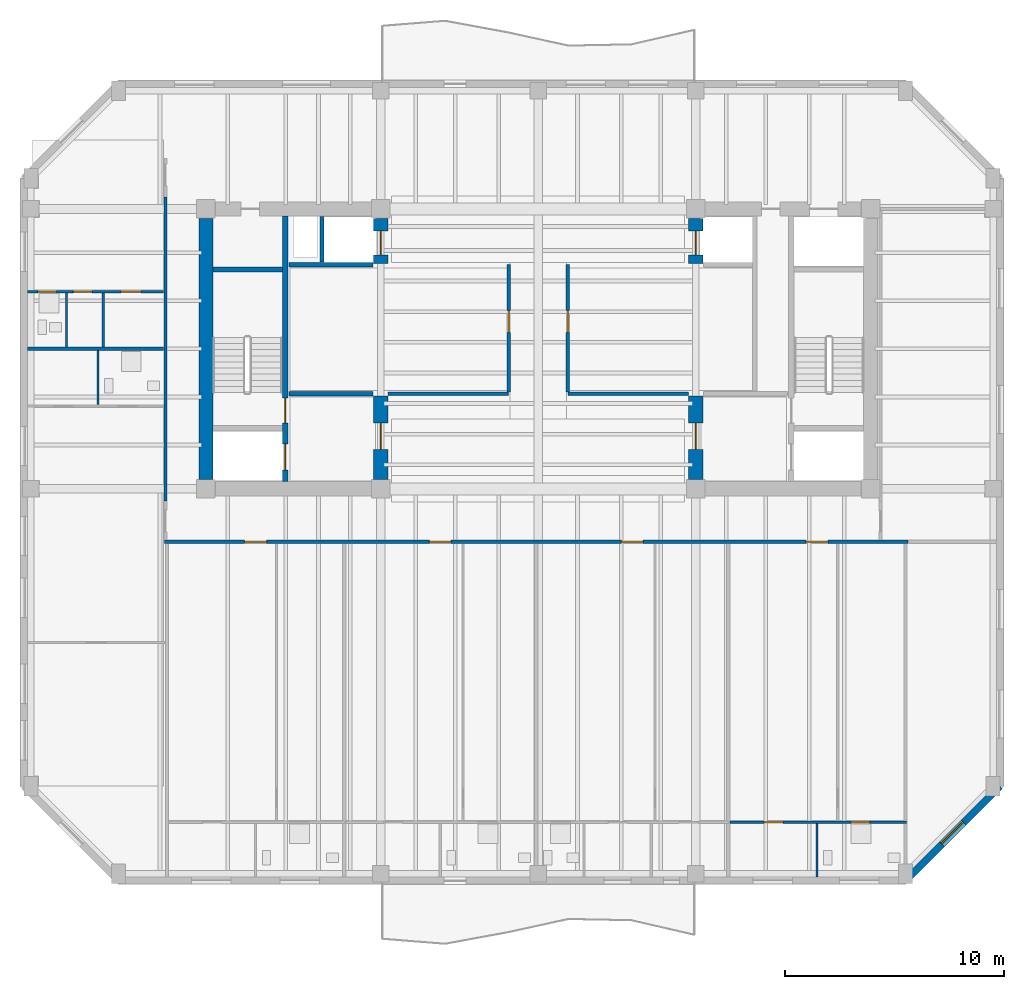
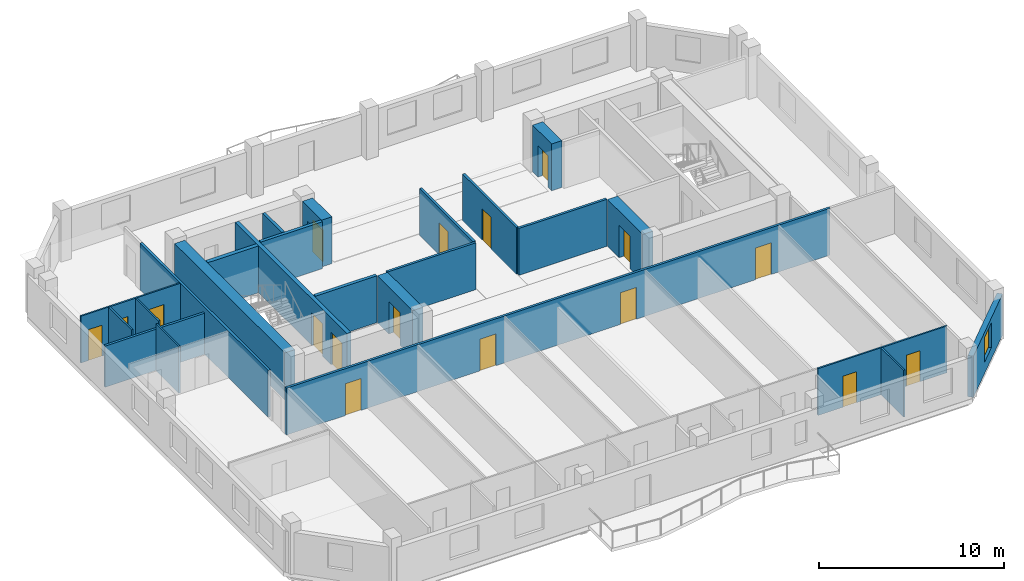
# One storey, part 4 of 11: 24 walls, 17 doors, 1 window, 18 openings.
"""IFC4 building model written with IfcOpenShell, lengths in metres."""

from ifc_helpers import new_model, si_unit, direction, frame, frame_2d, origin, place, context, subcontext, project, spatial, rectangle, extrude, material, layer, layer_set, type_object, element, fill, save


model = new_model("IFC4")

# Units and contexts
model_context = context("Model", 3, precision=1e-05, world=origin(), true_north=direction((0.0, 1.0)))
body_context = subcontext(model_context, "Body", "Model", "MODEL_VIEW")
ifc_project = project(units=[si_unit("LENGTHUNIT", "METRE"), si_unit("AREAUNIT", "SQUARE_METRE"), si_unit("VOLUMEUNIT", "CUBIC_METRE"), si_unit("PLANEANGLEUNIT", "RADIAN"), si_unit("MASSUNIT", "GRAM", prefix="KILO")], contexts=[model_context])

# Site, building, storey
site_placement = place(None, origin())
site = spatial("IfcSite", under=ifc_project, at=site_placement, CompositionType="ELEMENT")
building_placement = place(site_placement, origin())
building = spatial("IfcBuilding", under=site, at=building_placement, Name="Kranthara Brick Stack", CompositionType="ELEMENT")
storey_placement = place(building_placement, frame((0.0, 0.0, 217.699951171875)))
storey = spatial("IfcBuildingStorey", under=building, at=storey_placement, Name="L56", CompositionType="ELEMENT", Elevation=217.699951171875)

# Wall, opening, window
ifc_material_1 = material(Name="Warm buff clay brick masonry M15", Category="masonry")
ifc_layer_1 = layer(ifc_material_1, 0.320068359375)
ifc_layer_set_1 = layer_set([ifc_layer_1], Name="Warm buff clay brick masonry M15")
wall_type_1 = type_object("IfcWallType", Name="WL-BRK-UPPR-320", PredefinedType="STANDARD", material=ifc_layer_set_1)
wall_1_placement = place(storey_placement, frame((49.1201171875, 7.199951171875, 0.0), z_axis=(0.0, 0.0, 1.0), x_axis=(-0.707106781187, -0.707106781187, 0.0)))
wall_1 = element("IfcWall", 1, at=wall_1_placement, inside=storey, type_object=wall_type_1, Name="L56 Exterior Brick Facade Wall SE 1", PredefinedType="STANDARD", context=body_context, shape_type="SweptSolid", body=[
    extrude(rectangle(XDim=6.109619140625, YDim=0.320068359375, at=frame_2d((3.0546875, 0.0))), origin(), (0.0, 0.0, 1.0), 2.72509765625),
])
opening_1_placement = place(wall_1_placement, frame((2.35498046875, 0.0, 0.75)))
opening_1 = element("IfcOpeningElement", 2, at=opening_1_placement, cuts=wall_1, Name="Opening WN10", PredefinedType="OPENING", context=body_context, shape_type="SweptSolid", body=[
    extrude(rectangle(XDim=1.39990234375, YDim=1.64990234375, at=frame_2d((0.699951171875, 0.824951171875))), frame((0.0, 0.169921875, 0.0), z_axis=(0.0, -1.0, 0.0), x_axis=(1.0, 0.0, 0.0)), (0.0, 0.0, 1.0), 0.340087890625),
])
ifc_material_2 = material(Name="Double-glazed low-E solar control glass", Category="glass")
window_type = type_object("IfcWindowType", Name="WN-CHM-1400x1750", PartitioningType="SINGLE_PANEL", PredefinedType="WINDOW", material=ifc_material_2)
window_placement = place(opening_1_placement, origin())
window = element("IfcWindow", 3, at=window_placement, inside=storey, type_object=window_type, Name="L56 SE Chamfer Corner Window", OverallHeight=1.64990234375, OverallWidth=1.39990234375, PartitioningType="SINGLE_PANEL", PredefinedType="WINDOW", context=body_context, shape_type="SweptSolid", body=[
    extrude(rectangle(XDim=1.39990234375, YDim=1.64990234375, at=frame_2d((0.699951171875, 0.824951171875))), frame((0.0, -0.010009765625, 0.0), z_axis=(0.0, -1.0, 0.0), x_axis=(1.0, 0.0, 0.0)), (0.0, 0.0, 1.0), 0.06005859375),
])
fill(opening_1, window)

# Wall, openings, doors
ifc_material_3 = material(Name="Concrete C50/60", Category="concrete")
ifc_layer_2 = layer(ifc_material_3, 0.25)
ifc_layer_set_2 = layer_set([ifc_layer_2], Name="Concrete C50/60")
wall_type_2 = type_object("IfcWallType", Name="WL-CORE-250", PredefinedType="SHEAR", material=ifc_layer_set_2)
wall_2_placement = place(storey_placement, frame((16.43505859375, 21.135009765625, 0.0), z_axis=(0.0, 0.0, 1.0), x_axis=(0.0, 1.0, 0.0)))
wall_2 = element("IfcWall", 4, at=wall_2_placement, inside=storey, type_object=wall_type_2, Name="L56 West Core Stair Bearing Spine Wall", PredefinedType="SHEAR", context=body_context, shape_type="SweptSolid", body=[
    extrude(rectangle(XDim=12.1298828125, YDim=0.25, at=frame_2d((6.06494140625, 0.0))), origin(), (0.0, 0.0, 1.0), 3.10009765625),
])
opening_2_placement = place(wall_2_placement, frame((0.514892578125, 0.0, 0.0)))
opening_2 = element("IfcOpeningElement", 5, at=opening_2_placement, cuts=wall_2, Name="Opening LD01", PredefinedType="OPENING", context=body_context, shape_type="SweptSolid", body=[
    extrude(rectangle(XDim=1.199951171875, YDim=2.14990234375, at=frame_2d((0.60009765625, 1.074951171875))), frame((0.0, 0.135009765625, 0.0), z_axis=(0.0, -1.0, 0.0), x_axis=(1.0, 0.0, 0.0)), (0.0, 0.0, 1.0), 0.27001953125),
])
opening_3_placement = place(wall_2_placement, frame((2.6650390625, 0.0, 0.0)))
opening_3 = element("IfcOpeningElement", 6, at=opening_3_placement, cuts=wall_2, Name="Opening D05", PredefinedType="OPENING", context=body_context, shape_type="SweptSolid", body=[
    extrude(rectangle(XDim=1.14990234375, YDim=2.14990234375, at=frame_2d((0.574951171875, 1.074951171875))), frame((0.0, 0.135009765625, 0.0), z_axis=(0.0, -1.0, 0.0), x_axis=(1.0, 0.0, 0.0)), (0.0, 0.0, 1.0), 0.27001953125),
])
ifc_material_4 = material(Name="Stainless steel sliding landing door", Category="steel")
door_type_1 = type_object("IfcDoorType", Name="DR-LD-FF1200", OperationType="DOUBLE_DOOR_SLIDING", PredefinedType="DOOR", material=ifc_material_4)
door_1_placement = place(opening_2_placement, origin())
door_1 = element("IfcDoor", 7, at=door_1_placement, inside=storey, type_object=door_type_1, Name="L56 Firefighting Lift FF-01 Landing Door", OperationType="DOUBLE_DOOR_SLIDING", OverallHeight=2.14990234375, OverallWidth=1.199951171875, PredefinedType="DOOR", context=body_context, shape_type="SweptSolid", body=[
    extrude(rectangle(XDim=1.199951171875, YDim=2.14990234375, at=frame_2d((0.60009765625, 1.074951171875))), frame((0.0, 0.02490234375, 0.0), z_axis=(0.0, -1.0, 0.0), x_axis=(1.0, 0.0, 0.0)), (0.0, 0.0, 1.0), 0.050048828125),
])
fill(opening_2, door_1)
ifc_material_5 = material(Name="Solid-core hardwood timber leaf in steel frame", Category="steel")
door_type_2 = type_object("IfcDoorType", Name="DR-ST-1150", OperationType="NOTDEFINED", PredefinedType="DOOR", material=ifc_material_5)
door_2_placement = place(opening_3_placement, origin())
door_2 = element("IfcDoor", 8, at=door_2_placement, inside=storey, type_object=door_type_2, Name="L56 Exit Stair ST01 Door", OperationType="SINGLE_SWING_RIGHT", OverallHeight=2.14990234375, OverallWidth=1.14990234375, PredefinedType="DOOR", context=body_context, shape_type="SweptSolid", body=[
    extrude(rectangle(XDim=1.14990234375, YDim=2.14990234375, at=frame_2d((0.574951171875, 1.074951171875))), frame((0.0, 0.02490234375, 0.0), z_axis=(0.0, -1.0, 0.0), x_axis=(1.0, 0.0, 0.0)), (0.0, 0.0, 1.0), 0.050048828125),
])
fill(opening_3, door_2)

# Walls
wall_3_placement = place(storey_placement, frame((13.135009765625, 30.830078125, 0.0), z_axis=(0.0, 0.0, 1.0), x_axis=(1.0, 0.0, 0.0)))
element("IfcWall", 9, at=wall_3_placement, inside=storey, type_object=wall_type_2, Name="L56 West Stairwell Bearing Wall WST", PredefinedType="SHEAR", context=body_context, shape_type="SweptSolid", body=[
    extrude(rectangle(XDim=3.175048828125, YDim=0.25, at=frame_2d((1.58740234375, 0.0))), origin(), (0.0, 0.0, 1.0), 3.10009765625),
])
ifc_material_6 = material(Name="Concrete C60/75", Category="concrete")
ifc_layer_3 = layer(ifc_material_6, 0.64990234375)
ifc_layer_set_3 = layer_set([ifc_layer_3], Name="Concrete C60/75")
wall_type_3 = type_object("IfcWallType", Name="WL-CORE-650", PredefinedType="SHEAR", material=ifc_layer_set_3)
wall_4_placement = place(storey_placement, frame((12.800048828125, 21.22998046875, 0.0), z_axis=(0.0, 0.0, 1.0), x_axis=(0.0, 1.0, 0.0)))
element("IfcWall", 10, at=wall_4_placement, inside=storey, type_object=wall_type_3, Name="L56 West Core Shear Wall West", PredefinedType="SHEAR", context=body_context, shape_type="SweptSolid", body=[
    extrude(rectangle(XDim=11.93994140625, YDim=0.64990234375, at=frame_2d((5.969970703125, 0.0))), origin(), (0.0, 0.0, 1.0), 3.10009765625),
])

# Wall, opening, door
wall_5_placement = place(storey_placement, frame((20.800048828125, 21.22998046875, 0.0), z_axis=(0.0, 0.0, 1.0), x_axis=(0.0, 1.0, 0.0)))
wall_5 = element("IfcWall", 11, at=wall_5_placement, inside=storey, type_object=wall_type_3, Name="L56 West Core Lobby Shear Wall", PredefinedType="SHEAR", context=body_context, shape_type="SweptSolid", body=[
    extrude(rectangle(XDim=3.820068359375, YDim=0.64990234375, at=frame_2d((1.91015625, 0.0))), origin(), (0.0, 0.0, 1.0), 3.10009765625),
])
opening_4_placement = place(wall_5_placement, frame((1.3701171875, 0.0, 0.0)))
opening_4 = element("IfcOpeningElement", 12, at=opening_4_placement, cuts=wall_5, Name="Opening D06", PredefinedType="OPENING", context=body_context, shape_type="SweptSolid", body=[
    extrude(rectangle(XDim=1.199951171875, YDim=2.14990234375, at=frame_2d((0.60009765625, 1.074951171875))), frame((0.0, 0.3349609375, 0.0), z_axis=(0.0, -1.0, 0.0), x_axis=(1.0, 0.0, 0.0)), (0.0, 0.0, 1.0), 0.669921875),
])
ifc_material_7 = material(Name="Solid-core hardwood timber leaf in steel frame", Category="steel")
door_type_3 = type_object("IfcDoorType", Name="DR-FFL-1200", OperationType="NOTDEFINED", PredefinedType="DOOR", material=ifc_material_7)
door_3_placement = place(opening_4_placement, origin())
door_3 = element("IfcDoor", 13, at=door_3_placement, inside=storey, type_object=door_type_3, Name="L56 West Firefighting Lobby Door", OperationType="SINGLE_SWING_LEFT", OverallHeight=2.14990234375, OverallWidth=1.199951171875, PredefinedType="DOOR", context=body_context, shape_type="SweptSolid", body=[
    extrude(rectangle(XDim=1.199951171875, YDim=2.14990234375, at=frame_2d((0.60009765625, 1.074951171875))), frame((0.0, 0.02490234375, 0.0), z_axis=(0.0, -1.0, 0.0), x_axis=(1.0, 0.0, 0.0)), (0.0, 0.0, 1.0), 0.050048828125),
])
fill(opening_4, door_3)

wall_6_placement = place(storey_placement, frame((20.800048828125, 31.10009765625, 0.0), z_axis=(0.0, 0.0, 1.0), x_axis=(0.0, 1.0, 0.0)))
wall_6 = element("IfcWall", 14, at=wall_6_placement, inside=storey, type_object=wall_type_3, Name="L56 West Core High-Rise Lift Wall", PredefinedType="SHEAR", context=body_context, shape_type="SweptSolid", body=[
    extrude(rectangle(XDim=2.06982421875, YDim=0.64990234375, at=frame_2d((1.034912109375, 0.0))), origin(), (0.0, 0.0, 1.0), 3.10009765625),
])
opening_5_placement = place(wall_6_placement, frame((0.39990234375, 0.0, 0.0)))
opening_5 = element("IfcOpeningElement", 15, at=opening_5_placement, cuts=wall_6, Name="Opening LD02", PredefinedType="OPENING", context=body_context, shape_type="SweptSolid", body=[
    extrude(rectangle(XDim=1.10009765625, YDim=2.10009765625, at=frame_2d((0.550048828125, 1.050048828125))), frame((0.0, 0.3349609375, 0.0), z_axis=(0.0, -1.0, 0.0), x_axis=(1.0, 0.0, 0.0)), (0.0, 0.0, 1.0), 0.669921875),
])
ifc_material_8 = material(Name="Stainless steel sliding landing door", Category="steel")
door_type_4 = type_object("IfcDoorType", Name="DR-LD-PL1100", OperationType="DOUBLE_DOOR_SLIDING", PredefinedType="DOOR", material=ifc_material_8)
door_4_placement = place(opening_5_placement, origin())
door_4 = element("IfcDoor", 16, at=door_4_placement, inside=storey, type_object=door_type_4, Name="L56 PL-07 Lift Landing Door", OperationType="DOUBLE_DOOR_SLIDING", OverallHeight=2.10009765625, OverallWidth=1.10009765625, PredefinedType="DOOR", context=body_context, shape_type="SweptSolid", body=[
    extrude(rectangle(XDim=1.10009765625, YDim=2.10009765625, at=frame_2d((0.550048828125, 1.050048828125))), frame((0.0, 0.02490234375, 0.0), z_axis=(0.0, -1.0, 0.0), x_axis=(1.0, 0.0, 0.0)), (0.0, 0.0, 1.0), 0.050048828125),
])
fill(opening_5, door_4)

wall_7_placement = place(storey_placement, frame((35.199951171875, 21.22998046875, 0.0), z_axis=(0.0, 0.0, 1.0), x_axis=(0.0, 1.0, 0.0)))
wall_7 = element("IfcWall", 17, at=wall_7_placement, inside=storey, type_object=wall_type_3, Name="L56 East Core Lobby Shear Wall", PredefinedType="SHEAR", context=body_context, shape_type="SweptSolid", body=[
    extrude(rectangle(XDim=3.820068359375, YDim=0.64990234375, at=frame_2d((1.91015625, 0.0))), origin(), (0.0, 0.0, 1.0), 3.10009765625),
])
opening_6_placement = place(wall_7_placement, frame((1.3701171875, 0.0, 0.0)))
opening_6 = element("IfcOpeningElement", 18, at=opening_6_placement, cuts=wall_7, Name="Opening D06", PredefinedType="OPENING", context=body_context, shape_type="SweptSolid", body=[
    extrude(rectangle(XDim=1.199951171875, YDim=2.14990234375, at=frame_2d((0.60009765625, 1.074951171875))), frame((0.0, 0.3349609375, 0.0), z_axis=(0.0, -1.0, 0.0), x_axis=(1.0, 0.0, 0.0)), (0.0, 0.0, 1.0), 0.669921875),
])
door_5_placement = place(opening_6_placement, origin())
door_5 = element("IfcDoor", 19, at=door_5_placement, inside=storey, type_object=door_type_3, Name="L56 East Firefighting Lobby Door", OperationType="SINGLE_SWING_RIGHT", OverallHeight=2.14990234375, OverallWidth=1.199951171875, PredefinedType="DOOR", context=body_context, shape_type="SweptSolid", body=[
    extrude(rectangle(XDim=1.199951171875, YDim=2.14990234375, at=frame_2d((0.60009765625, 1.074951171875))), frame((0.0, 0.02490234375, 0.0), z_axis=(0.0, -1.0, 0.0), x_axis=(1.0, 0.0, 0.0)), (0.0, 0.0, 1.0), 0.050048828125),
])
fill(opening_6, door_5)

wall_8_placement = place(storey_placement, frame((35.199951171875, 31.10009765625, 0.0), z_axis=(0.0, 0.0, 1.0), x_axis=(0.0, 1.0, 0.0)))
wall_8 = element("IfcWall", 20, at=wall_8_placement, inside=storey, type_object=wall_type_3, Name="L56 East Core High-Rise Lift Wall", PredefinedType="SHEAR", context=body_context, shape_type="SweptSolid", body=[
    extrude(rectangle(XDim=2.06982421875, YDim=0.64990234375, at=frame_2d((1.034912109375, 0.0))), origin(), (0.0, 0.0, 1.0), 3.10009765625),
])
opening_7_placement = place(wall_8_placement, frame((0.39990234375, 0.0, 0.0)))
opening_7 = element("IfcOpeningElement", 21, at=opening_7_placement, cuts=wall_8, Name="Opening LD02", PredefinedType="OPENING", context=body_context, shape_type="SweptSolid", body=[
    extrude(rectangle(XDim=1.10009765625, YDim=2.10009765625, at=frame_2d((0.550048828125, 1.050048828125))), frame((0.0, 0.3349609375, 0.0), z_axis=(0.0, -1.0, 0.0), x_axis=(1.0, 0.0, 0.0)), (0.0, 0.0, 1.0), 0.669921875),
])
door_6_placement = place(opening_7_placement, origin())
door_6 = element("IfcDoor", 22, at=door_6_placement, inside=storey, type_object=door_type_4, Name="L56 PL-08 Lift Landing Door", OperationType="DOUBLE_DOOR_SLIDING", OverallHeight=2.10009765625, OverallWidth=1.10009765625, PredefinedType="DOOR", context=body_context, shape_type="SweptSolid", body=[
    extrude(rectangle(XDim=1.10009765625, YDim=2.10009765625, at=frame_2d((0.550048828125, 1.050048828125))), frame((0.0, 0.02490234375, 0.0), z_axis=(0.0, -1.0, 0.0), x_axis=(1.0, 0.0, 0.0)), (0.0, 0.0, 1.0), 0.050048828125),
])
fill(opening_7, door_6)

# Wall, openings, doors
ifc_material_9 = material(Name="Moisture-resistant wet-room partition", Category="other")
ifc_layer_4 = layer(ifc_material_9, 0.10009765625)
ifc_layer_set_4 = layer_set([ifc_layer_4], Name="Moisture-resistant wet-room partition")
wall_type_4 = type_object("IfcWallType", Name="WL-PART-100", PredefinedType="PARTITIONING", material=ifc_layer_set_4)
wall_9_placement = place(storey_placement, frame((36.77294921875, 5.550048828125, 0.0), z_axis=(0.0, 0.0, 1.0), x_axis=(1.0, 0.0, 0.0)))
wall_9 = element("IfcWall", 23, at=wall_9_placement, inside=storey, type_object=wall_type_4, Name="L56 Interior Partition 020", PredefinedType="PARTITIONING", context=body_context, shape_type="SweptSolid", body=[
    extrude(rectangle(XDim=8.067138671875, YDim=0.10009765625, at=frame_2d((4.03369140625, 0.0))), origin(), (0.0, 0.0, 1.0), 3.10009765625),
])
opening_8_placement = place(wall_9_placement, frame((1.56103515625, 0.0, 0.0)))
opening_8 = element("IfcOpeningElement", 24, at=opening_8_placement, cuts=wall_9, Name="Opening D16", PredefinedType="OPENING", context=body_context, shape_type="SweptSolid", body=[
    extrude(rectangle(XDim=0.85009765625, YDim=2.050048828125, at=frame_2d((0.425048828125, 1.02490234375))), frame((0.0, 0.06005859375, 0.0), z_axis=(0.0, -1.0, 0.0), x_axis=(1.0, 0.0, 0.0)), (0.0, 0.0, 1.0), 0.1201171875),
])
opening_9_placement = place(wall_9_placement, frame((5.534912109375, 0.0, 0.0)))
opening_9 = element("IfcOpeningElement", 25, at=opening_9_placement, cuts=wall_9, Name="Opening D17", PredefinedType="OPENING", context=body_context, shape_type="SweptSolid", body=[
    extrude(rectangle(XDim=0.85009765625, YDim=2.050048828125, at=frame_2d((0.425048828125, 1.02490234375))), frame((0.0, 0.06005859375, 0.0), z_axis=(0.0, -1.0, 0.0), x_axis=(1.0, 0.0, 0.0)), (0.0, 0.0, 1.0), 0.1201171875),
])
ifc_material_10 = material(Name="Solid-core hardwood timber leaf in steel frame", Category="steel")
door_type_5 = type_object("IfcDoorType", Name="DR-INT-850", OperationType="NOTDEFINED", PredefinedType="DOOR", material=ifc_material_10)
door_7_placement = place(opening_8_placement, origin())
door_7 = element("IfcDoor", 26, at=door_7_placement, inside=storey, type_object=door_type_5, Name="L56 Unit L56D Kitchen 18", OperationType="SINGLE_SWING_RIGHT", OverallHeight=2.050048828125, OverallWidth=0.85009765625, PredefinedType="DOOR", context=body_context, shape_type="SweptSolid", body=[
    extrude(rectangle(XDim=0.85009765625, YDim=2.050048828125, at=frame_2d((0.425048828125, 1.02490234375))), frame((0.0, 0.02490234375, 0.0), z_axis=(0.0, -1.0, 0.0), x_axis=(1.0, 0.0, 0.0)), (0.0, 0.0, 1.0), 0.050048828125),
])
fill(opening_8, door_7)
ifc_material_11 = material(Name="Solid-core hardwood timber leaf in steel frame", Category="steel")
door_type_6 = type_object("IfcDoorType", Name="DR-WET-850", OperationType="NOTDEFINED", PredefinedType="DOOR", material=ifc_material_11)
door_8_placement = place(opening_9_placement, origin())
door_8 = element("IfcDoor", 27, at=door_8_placement, inside=storey, type_object=door_type_6, Name="L56 Unit L56D Bathroom 19", OperationType="SINGLE_SWING_LEFT", OverallHeight=2.050048828125, OverallWidth=0.85009765625, PredefinedType="DOOR", context=body_context, shape_type="SweptSolid", body=[
    extrude(rectangle(XDim=0.85009765625, YDim=2.050048828125, at=frame_2d((0.425048828125, 1.02490234375))), frame((0.0, 0.02490234375, 0.0), z_axis=(0.0, -1.0, 0.0), x_axis=(1.0, 0.0, 0.0)), (0.0, 0.0, 1.0), 0.050048828125),
])
fill(opening_9, door_8)

# Walls
wall_10_placement = place(storey_placement, frame((40.74609375, 3.044921875, 0.0), z_axis=(0.0, 0.0, 1.0), x_axis=(0.0, 1.0, 0.0)))
element("IfcWall", 28, at=wall_10_placement, inside=storey, type_object=wall_type_4, Name="L56 Interior Partition 022", PredefinedType="PARTITIONING", context=body_context, shape_type="SweptSolid", body=[
    extrude(rectangle(XDim=2.4501953125, YDim=0.10009765625, at=frame_2d((1.22509765625, 0.0))), origin(), (0.0, 0.0, 1.0), 3.10009765625),
])
wall_11_placement = place(storey_placement, frame((7.864990234375, 24.64501953125, 0.0), z_axis=(0.0, 0.0, 1.0), x_axis=(0.0, 1.0, 0.0)))
element("IfcWall", 29, at=wall_11_placement, inside=storey, type_object=wall_type_4, Name="L56 Interior Partition 032", PredefinedType="PARTITIONING", context=body_context, shape_type="SweptSolid", body=[
    extrude(rectangle(XDim=2.47509765625, YDim=0.10009765625, at=frame_2d((1.237548828125, 0.0))), origin(), (0.0, 0.0, 1.0), 3.10009765625),
])

# Wall, openings, doors
wall_12_placement = place(storey_placement, frame((4.64501953125, 29.81005859375, 0.0), z_axis=(0.0, 0.0, 1.0), x_axis=(1.0, 0.0, 0.0)))
wall_12 = element("IfcWall", 30, at=wall_12_placement, inside=storey, type_object=wall_type_4, Name="L56 Interior Partition 033", PredefinedType="PARTITIONING", context=body_context, shape_type="SweptSolid", body=[
    extrude(rectangle(XDim=6.22509765625, YDim=0.10009765625, at=frame_2d((3.112548828125, 0.0))), origin(), (0.0, 0.0, 1.0), 3.10009765625),
])
opening_10_placement = place(wall_12_placement, frame((0.471923828125, 0.0, 0.0)))
opening_10 = element("IfcOpeningElement", 31, at=opening_10_placement, cuts=wall_12, Name="Opening D17", PredefinedType="OPENING", context=body_context, shape_type="SweptSolid", body=[
    extrude(rectangle(XDim=0.85009765625, YDim=2.050048828125, at=frame_2d((0.425048828125, 1.02490234375))), frame((0.0, 0.06005859375, 0.0), z_axis=(0.0, -1.0, 0.0), x_axis=(1.0, 0.0, 0.0)), (0.0, 0.0, 1.0), 0.1201171875),
])
opening_11_placement = place(wall_12_placement, frame((2.092041015625, 0.0, 0.0)))
opening_11 = element("IfcOpeningElement", 32, at=opening_11_placement, cuts=wall_12, Name="Opening D16", PredefinedType="OPENING", context=body_context, shape_type="SweptSolid", body=[
    extrude(rectangle(XDim=0.85009765625, YDim=2.050048828125, at=frame_2d((0.425048828125, 1.02490234375))), frame((0.0, 0.06005859375, 0.0), z_axis=(0.0, -1.0, 0.0), x_axis=(1.0, 0.0, 0.0)), (0.0, 0.0, 1.0), 0.1201171875),
])
opening_12_placement = place(wall_12_placement, frame((4.284912109375, 0.0, 0.0)))
opening_12 = element("IfcOpeningElement", 33, at=opening_12_placement, cuts=wall_12, Name="Opening D15", PredefinedType="OPENING", context=body_context, shape_type="SweptSolid", body=[
    extrude(rectangle(XDim=0.89990234375, YDim=2.050048828125, at=frame_2d((0.449951171875, 1.02490234375))), frame((0.0, 0.06005859375, 0.0), z_axis=(0.0, -1.0, 0.0), x_axis=(1.0, 0.0, 0.0)), (0.0, 0.0, 1.0), 0.1201171875),
])
door_9_placement = place(opening_11_placement, origin())
door_9 = element("IfcDoor", 34, at=door_9_placement, inside=storey, type_object=door_type_5, Name="L56 Unit L56F Kitchen 26", OperationType="SINGLE_SWING_RIGHT", OverallHeight=2.050048828125, OverallWidth=0.85009765625, PredefinedType="DOOR", context=body_context, shape_type="SweptSolid", body=[
    extrude(rectangle(XDim=0.85009765625, YDim=2.050048828125, at=frame_2d((0.425048828125, 1.02490234375))), frame((0.0, 0.02490234375, 0.0), z_axis=(0.0, -1.0, 0.0), x_axis=(1.0, 0.0, 0.0)), (0.0, 0.0, 1.0), 0.050048828125),
])
fill(opening_11, door_9)
ifc_material_12 = material(Name="Solid-core hardwood timber leaf in steel frame", Category="steel")
door_type_7 = type_object("IfcDoorType", Name="DR-INT-900", OperationType="NOTDEFINED", PredefinedType="DOOR", material=ifc_material_12)
door_10_placement = place(opening_12_placement, origin())
door_10 = element("IfcDoor", 35, at=door_10_placement, inside=storey, type_object=door_type_7, Name="L56 Unit L56F Bedroom 27", OperationType="SINGLE_SWING_LEFT", OverallHeight=2.050048828125, OverallWidth=0.89990234375, PredefinedType="DOOR", context=body_context, shape_type="SweptSolid", body=[
    extrude(rectangle(XDim=0.89990234375, YDim=2.050048828125, at=frame_2d((0.449951171875, 1.02490234375))), frame((0.0, 0.02490234375, 0.0), z_axis=(0.0, -1.0, 0.0), x_axis=(1.0, 0.0, 0.0)), (0.0, 0.0, 1.0), 0.050048828125),
])
fill(opening_12, door_10)
door_11_placement = place(opening_10_placement, origin())
door_11 = element("IfcDoor", 36, at=door_11_placement, inside=storey, type_object=door_type_6, Name="L56 Unit L56F Bathroom 25", OperationType="SINGLE_SWING_LEFT", OverallHeight=2.050048828125, OverallWidth=0.85009765625, PredefinedType="DOOR", context=body_context, shape_type="SweptSolid", body=[
    extrude(rectangle(XDim=0.85009765625, YDim=2.050048828125, at=frame_2d((0.425048828125, 1.02490234375))), frame((0.0, 0.02490234375, 0.0), z_axis=(0.0, -1.0, 0.0), x_axis=(1.0, 0.0, 0.0)), (0.0, 0.0, 1.0), 0.050048828125),
])
fill(opening_10, door_11)

# Walls
for number, where, z_axis, x_axis, name in (
    (37, (6.425048828125, 27.280029296875, 0.0), (0.0, 0.0, 1.0), (0.0, 1.0, 0.0), "L56 Interior Partition 034"),
    (38, (8.110107421875, 27.280029296875, 0.0), (0.0, 0.0, 1.0), (0.0, 1.0, 0.0), "L56 Interior Partition 035"),
):
    element("IfcWall", number, at=place(storey_placement, frame(where, z_axis=z_axis, x_axis=x_axis)), inside=storey, type_object=wall_type_4, Name=name, PredefinedType="PARTITIONING", context=body_context, shape_type="SweptSolid", body=[
        extrude(rectangle(XDim=2.474853515625, YDim=0.10009765625, at=frame_2d((1.2373046875, 0.0))), origin(), (0.0, 0.0, 1.0), 3.10009765625),
    ])
ifc_material_13 = material(Name="Fire-rated gypsum board partition", Category="other")
ifc_layer_5 = layer(ifc_material_13, 0.14990234375)
ifc_layer_set_5 = layer_set([ifc_layer_5], Name="Fire-rated gypsum board partition")
wall_type_5 = type_object("IfcWallType", Name="WL-PART-150", PredefinedType="PARTITIONING", material=ifc_layer_set_5)
for number, where, z_axis, x_axis, name in (
    (39, (21.1298828125, 25.14990234375, 0.0), (0.0, 0.0, 1.0), (1.0, 0.0, 0.0), "L56 Interior Partition 001"),
    (40, (29.35009765625, 25.14990234375, 0.0), (0.0, 0.0, 1.0), (1.0, 0.0, 0.0), "L56 Interior Partition 002"),
):
    element("IfcWall", number, at=place(storey_placement, frame(where, z_axis=z_axis, x_axis=x_axis)), inside=storey, type_object=wall_type_5, Name=name, PredefinedType="PARTITIONING", context=body_context, shape_type="SweptSolid", body=[
        extrude(rectangle(XDim=5.52001953125, YDim=0.14990234375, at=frame_2d((2.760009765625, 0.0))), origin(), (0.0, 0.0, 1.0), 3.10009765625),
    ])

# Wall, opening, door
wall_13_placement = place(storey_placement, frame((26.64990234375, 25.22998046875, 0.0), z_axis=(0.0, 0.0, 1.0), x_axis=(0.0, 1.0, 0.0)))
wall_13 = element("IfcWall", 41, at=wall_13_placement, inside=storey, type_object=wall_type_5, Name="L56 Interior Partition 003", PredefinedType="PARTITIONING", context=body_context, shape_type="SweptSolid", body=[
    extrude(rectangle(XDim=5.820068359375, YDim=0.14990234375, at=frame_2d((2.91015625, 0.0))), origin(), (0.0, 0.0, 1.0), 3.10009765625),
])
opening_13_placement = place(wall_13_placement, frame((2.719970703125, 0.0, 0.0)))
opening_13 = element("IfcOpeningElement", 42, at=opening_13_placement, cuts=wall_13, Name="Opening D08", PredefinedType="OPENING", context=body_context, shape_type="SweptSolid", body=[
    extrude(rectangle(XDim=1.0, YDim=2.10009765625, at=frame_2d((0.5, 1.050048828125))), frame((0.0, 0.0849609375, 0.0), z_axis=(0.0, -1.0, 0.0), x_axis=(1.0, 0.0, 0.0)), (0.0, 0.0, 1.0), 0.169921875),
])
ifc_material_14 = material(Name="Solid-core hardwood timber leaf in steel frame", Category="steel")
door_type_8 = type_object("IfcDoorType", Name="DR-FD-1000", OperationType="NOTDEFINED", PredefinedType="DOOR", material=ifc_material_14)
door_12_placement = place(opening_13_placement, origin())
door_12 = element("IfcDoor", 43, at=door_12_placement, inside=storey, type_object=door_type_8, Name="L56 Residents Study Salon 01", OperationType="SINGLE_SWING_LEFT", OverallHeight=2.10009765625, OverallWidth=1.0, PredefinedType="DOOR", context=body_context, shape_type="SweptSolid", body=[
    extrude(rectangle(XDim=1.0, YDim=2.10009765625, at=frame_2d((0.5, 1.050048828125))), frame((0.0, 0.02490234375, 0.0), z_axis=(0.0, -1.0, 0.0), x_axis=(1.0, 0.0, 0.0)), (0.0, 0.0, 1.0), 0.050048828125),
])
fill(opening_13, door_12)

wall_14_placement = place(storey_placement, frame((29.35009765625, 25.22998046875, 0.0), z_axis=(0.0, 0.0, 1.0), x_axis=(0.0, 1.0, 0.0)))
wall_14 = element("IfcWall", 44, at=wall_14_placement, inside=storey, type_object=wall_type_5, Name="L56 Interior Partition 004", PredefinedType="PARTITIONING", context=body_context, shape_type="SweptSolid", body=[
    extrude(rectangle(XDim=5.820068359375, YDim=0.14990234375, at=frame_2d((2.91015625, 0.0))), origin(), (0.0, 0.0, 1.0), 3.10009765625),
])
opening_14_placement = place(wall_14_placement, frame((2.719970703125, 0.0, 0.0)))
opening_14 = element("IfcOpeningElement", 45, at=opening_14_placement, cuts=wall_14, Name="Opening D08", PredefinedType="OPENING", context=body_context, shape_type="SweptSolid", body=[
    extrude(rectangle(XDim=1.0, YDim=2.10009765625, at=frame_2d((0.5, 1.050048828125))), frame((0.0, 0.0849609375, 0.0), z_axis=(0.0, -1.0, 0.0), x_axis=(1.0, 0.0, 0.0)), (0.0, 0.0, 1.0), 0.169921875),
])
door_13_placement = place(opening_14_placement, origin())
door_13 = element("IfcDoor", 46, at=door_13_placement, inside=storey, type_object=door_type_8, Name="L56 Private Dining Lounge 02", OperationType="SINGLE_SWING_RIGHT", OverallHeight=2.10009765625, OverallWidth=1.0, PredefinedType="DOOR", context=body_context, shape_type="SweptSolid", body=[
    extrude(rectangle(XDim=1.0, YDim=2.10009765625, at=frame_2d((0.5, 1.050048828125))), frame((0.0, 0.02490234375, 0.0), z_axis=(0.0, -1.0, 0.0), x_axis=(1.0, 0.0, 0.0)), (0.0, 0.0, 1.0), 0.050048828125),
])
fill(opening_14, door_13)

# Wall, openings, doors
wall_15_placement = place(storey_placement, frame((10.89990234375, 18.3798828125, 0.0), z_axis=(0.0, 0.0, 1.0), x_axis=(1.0, 0.0, 0.0)))
wall_15 = element("IfcWall", 47, at=wall_15_placement, inside=storey, type_object=wall_type_5, Name="L56 Interior Partition 005", PredefinedType="PARTITIONING", context=body_context, shape_type="SweptSolid", body=[
    extrude(rectangle(XDim=34.02001953125, YDim=0.14990234375, at=frame_2d((17.010009765625, 0.0))), origin(), (0.0, 0.0, 1.0), 3.10009765625),
])
opening_15_placement = place(wall_15_placement, frame((3.674072265625, 0.0, 0.0)))
opening_15 = element("IfcOpeningElement", 48, at=opening_15_placement, cuts=wall_15, Name="Opening D08", PredefinedType="OPENING", context=body_context, shape_type="SweptSolid", body=[
    extrude(rectangle(XDim=1.0, YDim=2.10009765625, at=frame_2d((0.5, 1.050048828125))), frame((0.0, 0.0849609375, 0.0), z_axis=(0.0, -1.0, 0.0), x_axis=(1.0, 0.0, 0.0)), (0.0, 0.0, 1.0), 0.169921875),
])
opening_16_placement = place(wall_15_placement, frame((12.117919921875, 0.0, 0.0)))
opening_16 = element("IfcOpeningElement", 49, at=opening_16_placement, cuts=wall_15, Name="Opening D08", PredefinedType="OPENING", context=body_context, shape_type="SweptSolid", body=[
    extrude(rectangle(XDim=1.0, YDim=2.10009765625, at=frame_2d((0.5, 1.050048828125))), frame((0.0, 0.0849609375, 0.0), z_axis=(0.0, -1.0, 0.0), x_axis=(1.0, 0.0, 0.0)), (0.0, 0.0, 1.0), 0.169921875),
])
opening_17_placement = place(wall_15_placement, frame((20.90087890625, 0.0, 0.0)))
opening_17 = element("IfcOpeningElement", 50, at=opening_17_placement, cuts=wall_15, Name="Opening D08", PredefinedType="OPENING", context=body_context, shape_type="SweptSolid", body=[
    extrude(rectangle(XDim=1.0, YDim=2.10009765625, at=frame_2d((0.5, 1.050048828125))), frame((0.0, 0.0849609375, 0.0), z_axis=(0.0, -1.0, 0.0), x_axis=(1.0, 0.0, 0.0)), (0.0, 0.0, 1.0), 0.169921875),
])
opening_18_placement = place(wall_15_placement, frame((29.345947265625, 0.0, 0.0)))
opening_18 = element("IfcOpeningElement", 51, at=opening_18_placement, cuts=wall_15, Name="Opening D08", PredefinedType="OPENING", context=body_context, shape_type="SweptSolid", body=[
    extrude(rectangle(XDim=1.0, YDim=2.10009765625, at=frame_2d((0.5, 1.050048828125))), frame((0.0, 0.0849609375, 0.0), z_axis=(0.0, -1.0, 0.0), x_axis=(1.0, 0.0, 0.0)), (0.0, 0.0, 1.0), 0.169921875),
])
door_14_placement = place(opening_15_placement, origin())
door_14 = element("IfcDoor", 52, at=door_14_placement, inside=storey, type_object=door_type_8, Name="L56 Unit L56A Entrance 03", OperationType="SINGLE_SWING_LEFT", OverallHeight=2.10009765625, OverallWidth=1.0, PredefinedType="DOOR", context=body_context, shape_type="SweptSolid", body=[
    extrude(rectangle(XDim=1.0, YDim=2.10009765625, at=frame_2d((0.5, 1.050048828125))), frame((0.0, 0.02490234375, 0.0), z_axis=(0.0, -1.0, 0.0), x_axis=(1.0, 0.0, 0.0)), (0.0, 0.0, 1.0), 0.050048828125),
])
fill(opening_15, door_14)
door_15_placement = place(opening_16_placement, origin())
door_15 = element("IfcDoor", 53, at=door_15_placement, inside=storey, type_object=door_type_8, Name="L56 Unit L56B Entrance 07", OperationType="SINGLE_SWING_LEFT", OverallHeight=2.10009765625, OverallWidth=1.0, PredefinedType="DOOR", context=body_context, shape_type="SweptSolid", body=[
    extrude(rectangle(XDim=1.0, YDim=2.10009765625, at=frame_2d((0.5, 1.050048828125))), frame((0.0, 0.02490234375, 0.0), z_axis=(0.0, -1.0, 0.0), x_axis=(1.0, 0.0, 0.0)), (0.0, 0.0, 1.0), 0.050048828125),
])
fill(opening_16, door_15)
door_16_placement = place(opening_17_placement, origin())
door_16 = element("IfcDoor", 54, at=door_16_placement, inside=storey, type_object=door_type_8, Name="L56 Unit L56C Entrance 11", OperationType="SINGLE_SWING_LEFT", OverallHeight=2.10009765625, OverallWidth=1.0, PredefinedType="DOOR", context=body_context, shape_type="SweptSolid", body=[
    extrude(rectangle(XDim=1.0, YDim=2.10009765625, at=frame_2d((0.5, 1.050048828125))), frame((0.0, 0.02490234375, 0.0), z_axis=(0.0, -1.0, 0.0), x_axis=(1.0, 0.0, 0.0)), (0.0, 0.0, 1.0), 0.050048828125),
])
fill(opening_17, door_16)
door_17_placement = place(opening_18_placement, origin())
door_17 = element("IfcDoor", 55, at=door_17_placement, inside=storey, type_object=door_type_8, Name="L56 Unit L56D Entrance 16", OperationType="SINGLE_SWING_RIGHT", OverallHeight=2.10009765625, OverallWidth=1.0, PredefinedType="DOOR", context=body_context, shape_type="SweptSolid", body=[
    extrude(rectangle(XDim=1.0, YDim=2.10009765625, at=frame_2d((0.5, 1.050048828125))), frame((0.0, 0.02490234375, 0.0), z_axis=(0.0, -1.0, 0.0), x_axis=(1.0, 0.0, 0.0)), (0.0, 0.0, 1.0), 0.050048828125),
])
fill(opening_18, door_17)

# Walls
wall_16_placement = place(storey_placement, frame((10.949951171875, 20.25, 0.0), z_axis=(0.0, 0.0, 1.0), x_axis=(0.0, 1.0, 0.0)))
element("IfcWall", 56, at=wall_16_placement, inside=storey, type_object=wall_type_5, Name="L56 Interior Partition 026", PredefinedType="PARTITIONING", context=body_context, shape_type="SweptSolid", body=[
    extrude(rectangle(XDim=13.89990234375, YDim=0.14990234375, at=frame_2d((6.949951171875, 0.0))), origin(), (0.0, 0.0, 1.0), 3.10009765625),
])
wall_17_placement = place(storey_placement, frame((4.64501953125, 27.199951171875, 0.0), z_axis=(0.0, 0.0, 1.0), x_axis=(1.0, 0.0, 0.0)))
element("IfcWall", 57, at=wall_17_placement, inside=storey, type_object=wall_type_5, Name="L56 Interior Partition 029", PredefinedType="PARTITIONING", context=body_context, shape_type="SweptSolid", body=[
    extrude(rectangle(XDim=6.22509765625, YDim=0.14990234375, at=frame_2d((3.112548828125, 0.0))), origin(), (0.0, 0.0, 1.0), 2.72509765625),
])
ifc_material_15 = material(Name="Gypsum plasterboard on acoustic twin stud", Category="other")
ifc_layer_6 = layer(ifc_material_15, 0.179931640625)
ifc_layer_set_6 = layer_set([ifc_layer_6], Name="Gypsum plasterboard on acoustic twin stud")
wall_type_6 = type_object("IfcWallType", Name="WL-PART-180", PredefinedType="PARTITIONING", material=ifc_layer_set_6)
wall_18_placement = place(storey_placement, frame((18.1201171875, 31.169921875, 0.0), z_axis=(0.0, 0.0, 1.0), x_axis=(0.0, 1.0, 0.0)))
element("IfcWall", 58, at=wall_18_placement, inside=storey, type_object=wall_type_6, Name="L56 PL-07 Shaft Back Wall", PredefinedType="PARTITIONING", context=body_context, shape_type="SweptSolid", body=[
    extrude(rectangle(XDim=2.094970703125, YDim=0.179931640625, at=frame_2d((1.04736328125, 0.0))), origin(), (0.0, 0.0, 1.0), 3.10009765625),
])
ifc_material_16 = material(Name="Concrete C40/50", Category="concrete")
ifc_layer_7 = layer(ifc_material_16, 0.199951171875)
ifc_layer_set_7 = layer_set([ifc_layer_7], Name="Concrete C40/50")
wall_type_7 = type_object("IfcWallType", Name="WL-PART-200", PredefinedType="SOLIDWALL", material=ifc_layer_set_7)
for number, where, z_axis, x_axis, name in (
    (59, (16.60009765625, 25.14990234375, 0.0), (0.0, 0.0, 1.0), (1.0, 0.0, 0.0), "L56 West Core Cross Wall WFL"),
    (60, (16.60009765625, 31.050048828125, 0.0), (0.0, 0.0, 1.0), (1.0, 0.0, 0.0), "L56 West Core Cross Wall WH4"),
):
    element("IfcWall", number, at=place(storey_placement, frame(where, z_axis=z_axis, x_axis=x_axis)), inside=storey, type_object=wall_type_7, Name=name, PredefinedType="SOLIDWALL", context=body_context, shape_type="SweptSolid", body=[
        extrude(rectangle(XDim=3.849853515625, YDim=0.199951171875, at=frame_2d((1.9248046875, 0.0))), origin(), (0.0, 0.0, 1.0), 3.10009765625),
    ])

save(model, "model.ifc")
